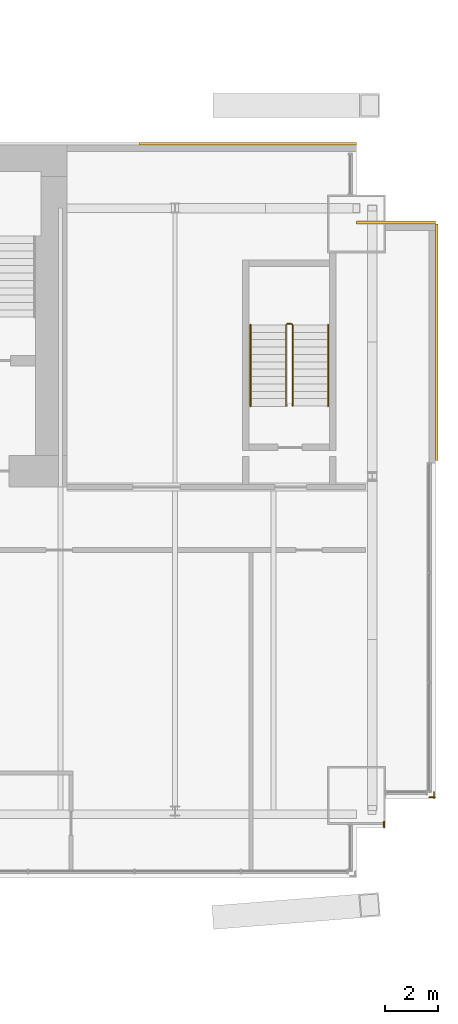
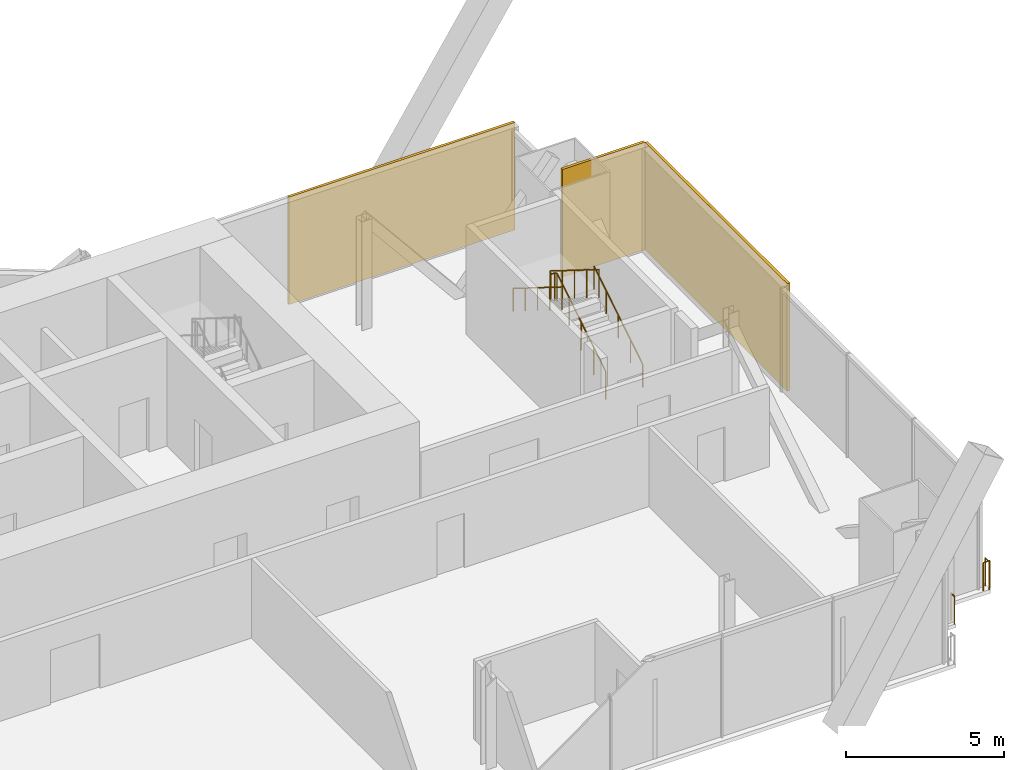
# One storey, part 19 of 19: 5 railings, 3 coverings.
"""IFC4 building model written with IfcOpenShell, lengths in metres."""

from ifc_helpers import new_model, si_unit, direction, frame, origin, origin_2d, place, context, subcontext, project, spatial, rectangle, circle, extrude, material, layer, layer_set, type_object, element, save


model = new_model("IFC4")

# Units and contexts
model_context = context("Model", 3, precision=1e-05, world=origin(), true_north=direction((0.0, 1.0)))
body_context = subcontext(model_context, "Body", "Model", "MODEL_VIEW")
ifc_project = project(units=[si_unit("LENGTHUNIT", "METRE"), si_unit("AREAUNIT", "SQUARE_METRE"), si_unit("VOLUMEUNIT", "CUBIC_METRE"), si_unit("PLANEANGLEUNIT", "RADIAN"), si_unit("MASSUNIT", "GRAM", prefix="KILO")], contexts=[model_context])

# Site, building, storey
site_placement = place(None, origin())
site = spatial("IfcSite", under=ifc_project, at=site_placement, CompositionType="ELEMENT")
building_placement = place(site_placement, origin())
building = spatial("IfcBuilding", under=site, at=building_placement, Name="Bicima Exchange Tower", CompositionType="ELEMENT")
storey_placement = place(building_placement, frame((0.0, 0.0, 283.39990234375)))
storey = spatial("IfcBuildingStorey", under=building, at=storey_placement, Name="L64", CompositionType="ELEMENT", Elevation=283.39990234375)

# Coverings
ifc_material_1 = material(Name="Bronze metal cladding")
ifc_layer_1 = layer(ifc_material_1, 0.004)
ifc_material_2 = material(Name="Ventilated cavity")
ifc_layer_2 = layer(ifc_material_2, 0.06)
ifc_material_3 = material(Name="Galvanised steel rail and mineral wool", Category="steel")
ifc_layer_3 = layer(ifc_material_3, 0.036)
ifc_layer_set = layer_set([ifc_layer_1, ifc_layer_2, ifc_layer_3], Name="Ventilated cavity")
covering_type = type_object("IfcCoveringType", Name="Bronze metal cladding panel 100", PredefinedType="CLADDING", material=ifc_layer_set)
covering_1_placement = place(storey_placement, frame((28.875, 0.050048828125, -0.14990234375), z_axis=(0.0, 0.0, 1.0), x_axis=(-1.0, 0.0, 0.0)))
element("IfcCovering", 1, at=covering_1_placement, inside=storey, type_object=covering_type, Name="Bronze cladding L64 1.1", PredefinedType="CLADDING", context=body_context, shape_type="SweptSolid", body=[
    extrude(rectangle(XDim=8.25, YDim=0.10009765625, at=origin_2d()), origin(), (0.0, 0.0, 1.0), 4.14990234375),
])
covering_2_placement = place(storey_placement, frame((36.050048828125, -7.5, -0.14990234375), z_axis=(0.0, 0.0, 1.0), x_axis=(0.0, 1.0, 0.0)))
element("IfcCovering", 2, at=covering_2_placement, inside=storey, type_object=covering_type, Name="Bronze cladding L64 50.1", PredefinedType="CLADDING", context=body_context, shape_type="SweptSolid", body=[
    extrude(rectangle(XDim=9.0, YDim=0.10009765625, at=origin_2d()), origin(), (0.0, 0.0, 1.0), 4.14990234375),
])
covering_3_placement = place(storey_placement, frame((34.5, -2.949951171875, -0.14990234375), z_axis=(0.0, 0.0, 1.0), x_axis=(-1.0, 0.0, 0.0)))
element("IfcCovering", 3, at=covering_3_placement, inside=storey, type_object=covering_type, Name="Bronze cladding L64 51.1", PredefinedType="CLADDING", context=body_context, shape_type="SweptSolid", body=[
    extrude(rectangle(XDim=3.0, YDim=0.10009765625, at=origin_2d()), origin(), (0.0, 0.0, 1.0), 4.14990234375),
])

# Railings
ifc_material_4 = material(Name="Stainless steel and bonded safety glass", Category="steel")
railing_type_1 = type_object("IfcRailingType", Name="Edge guard 1100", PredefinedType="GUARDRAIL", material=ifc_material_4)
railing_1_placement = place(storey_placement, frame((35.949951171875, -24.60009765625, 0.0)))
element("IfcRailing", 4, at=railing_1_placement, inside=storey, type_object=railing_type_1, Name="Edge guard L64 332", PredefinedType="GUARDRAIL", context=body_context, shape_type="SweptSolid", body=[
    extrude(circle(Radius=0.02392578125, at=origin_2d()), frame((0.0, 0.0, 1.076171875), z_axis=(0.0, -1.0, 0.0), x_axis=(1.0, 0.0, 0.0)), (0.0, 0.0, 1.0), 0.247802734375),
    extrude(circle(Radius=0.02392578125, at=origin_2d()), frame((0.0, -0.247802734375, 1.076171875), z_axis=(0.708833529934, 0.705375805398, 0.0), x_axis=(-0.705375805398, 0.708833529934, 0.0)), (0.0, 0.0, 1.0), 0.070556640625),
    extrude(circle(Radius=0.02392578125, at=origin_2d()), frame((0.050048828125, -0.197998046875, 1.076171875), z_axis=(-1.0, 0.0, 0.0), x_axis=(0.0, -1.0, 0.0)), (0.0, 0.0, 1.0), 0.237060546875),
    extrude(circle(Radius=0.02099609375, at=origin_2d()), origin(), (0.0, 0.0, 1.0), 1.052001953125),
    extrude(circle(Radius=0.02099609375, at=origin_2d()), frame((0.0, -0.247802734375, 0.0)), (0.0, 0.0, 1.0), 1.052001953125),
    extrude(circle(Radius=0.02099609375, at=origin_2d()), frame((0.050048828125, -0.197998046875, 0.0)), (0.0, 0.0, 1.0), 1.052001953125),
    extrude(circle(Radius=0.02099609375, at=origin_2d()), frame((-0.18701171875, -0.197998046875, 0.0)), (0.0, 0.0, 1.0), 1.052001953125),
])
railing_2_placement = place(storey_placement, frame((34.050048828125, -25.72802734375, 0.0)))
element("IfcRailing", 5, at=railing_2_placement, inside=storey, type_object=railing_type_1, Name="Edge guard L64 333", PredefinedType="GUARDRAIL", context=body_context, shape_type="SweptSolid", body=[
    extrude(circle(Radius=0.02392578125, at=origin_2d()), frame((0.0, 0.0, 1.076171875), z_axis=(0.0, -1.0, 0.0), x_axis=(1.0, 0.0, 0.0)), (0.0, 0.0, 1.0), 0.219970703125),
    extrude(circle(Radius=0.02099609375, at=origin_2d()), origin(), (0.0, 0.0, 1.0), 1.052001953125),
    extrude(circle(Radius=0.02099609375, at=origin_2d()), frame((0.0, -0.219970703125, 0.0)), (0.0, 0.0, 1.0), 1.052001953125),
])
ifc_material_5 = material(Name="Stainless steel", Category="steel")
railing_type_2 = type_object("IfcRailingType", Name="Stair guard 1100", PredefinedType="GUARDRAIL", material=ifc_material_5)
railing_3_placement = place(storey_placement, frame((30.574951171875, -9.925048828125, 0.175048828125)))
element("IfcRailing", 6, at=railing_3_placement, inside=storey, type_object=railing_type_2, Name="L64 ST-EE stair guard 1", PredefinedType="GUARDRAIL", context=body_context, shape_type="SweptSolid", body=[
    extrude(circle(Radius=0.02392578125, at=origin_2d()), frame((0.0, 0.0, 1.076171875), z_axis=(0.0, 0.847998304005, 0.529998940003), x_axis=(-1.0, 0.0, 0.0)), (0.0, 0.0, 1.0), 3.632080078125),
    extrude(circle(Radius=0.02392578125, at=origin_2d()), frame((0.0, 3.080078125, 3.0009765625), z_axis=(-0.707106781187, 0.707106781187, 0.0), x_axis=(-0.707106781187, -0.707106781187, 0.0)), (0.0, 0.0, 1.0), 0.07080078125),
    extrude(circle(Radius=0.02392578125, at=origin_2d()), frame((-0.050048828125, 3.130126953125, 3.0009765625), z_axis=(-1.0, 0.0, 0.0), x_axis=(0.0, -1.0, 0.0)), (0.0, 0.0, 1.0), 0.14990234375),
    extrude(circle(Radius=0.02392578125, at=origin_2d()), frame((-0.199951171875, 3.130126953125, 3.0009765625), z_axis=(-0.265065253269, -0.265065253269, 0.927081885822), x_axis=(0.707106781187, -0.707106781187, 0.0)), (0.0, 0.0, 1.0), 0.188720703125),
    extrude(circle(Radius=0.02392578125, at=origin_2d()), frame((-0.25, 3.080078125, 3.17626953125), z_axis=(0.0, -0.847998304005, 0.529998940003), x_axis=(1.0, 0.0, 0.0)), (0.0, 0.0, 1.0), 3.632080078125),
    extrude(circle(Radius=0.02099609375, at=origin_2d()), origin(), (0.0, 0.0, 1.0), 1.052001953125),
    extrude(circle(Radius=0.02099609375, at=origin_2d()), frame((0.0, 0.77001953125, 0.481201171875)), (0.0, 0.0, 1.0), 1.052001953125),
    extrude(circle(Radius=0.02099609375, at=origin_2d()), frame((0.0, 1.5400390625, 0.96240234375)), (0.0, 0.0, 1.0), 1.052001953125),
    extrude(circle(Radius=0.02099609375, at=origin_2d()), frame((0.0, 2.31005859375, 1.44384765625)), (0.0, 0.0, 1.0), 1.052001953125),
    extrude(circle(Radius=0.02099609375, at=origin_2d()), frame((0.0, 3.080078125, 1.925048828125)), (0.0, 0.0, 1.0), 1.052001953125),
    extrude(circle(Radius=0.02099609375, at=origin_2d()), frame((-0.050048828125, 3.130126953125, 1.925048828125)), (0.0, 0.0, 1.0), 1.052001953125),
    extrude(circle(Radius=0.02099609375, at=origin_2d()), frame((-0.199951171875, 3.130126953125, 1.925048828125)), (0.0, 0.0, 1.0), 1.052001953125),
    extrude(circle(Radius=0.02099609375, at=origin_2d()), frame((-0.25, 3.080078125, 2.10009765625)), (0.0, 0.0, 1.0), 1.052001953125),
    extrude(circle(Radius=0.02099609375, at=origin_2d()), frame((-0.25, 2.31005859375, 2.581298828125)), (0.0, 0.0, 1.0), 1.052001953125),
    extrude(circle(Radius=0.02099609375, at=origin_2d()), frame((-0.25, 1.5400390625, 3.0625)), (0.0, 0.0, 1.0), 1.052001953125),
    extrude(circle(Radius=0.02099609375, at=origin_2d()), frame((-0.25, 0.77001953125, 3.5439453125)), (0.0, 0.0, 1.0), 1.052001953125),
    extrude(circle(Radius=0.02099609375, at=origin_2d()), frame((-0.25, 0.0, 4.025146484375)), (0.0, 0.0, 1.0), 1.052001953125),
])
railing_type_3 = type_object("IfcRailingType", Name="Stair handrail 900", PredefinedType="HANDRAIL", material=ifc_material_5)
railing_4_placement = place(storey_placement, frame((31.925048828125, -9.925048828125, 0.175048828125)))
element("IfcRailing", 7, at=railing_4_placement, inside=storey, type_object=railing_type_3, Name="L64 ST-EE stair handrail 1", PredefinedType="HANDRAIL", context=body_context, shape_type="SweptSolid", body=[
    extrude(circle(Radius=0.02392578125, at=origin_2d()), frame((0.0, 0.0, 0.8759765625), z_axis=(0.0, 0.847998304005, 0.529998940003), x_axis=(-1.0, 0.0, 0.0)), (0.0, 0.0, 1.0), 3.632080078125),
    extrude(circle(Radius=0.02099609375, at=origin_2d()), origin(), (0.0, 0.0, 1.0), 0.851806640625),
    extrude(circle(Radius=0.02099609375, at=origin_2d()), frame((0.0, 0.77001953125, 0.481201171875)), (0.0, 0.0, 1.0), 0.851806640625),
    extrude(circle(Radius=0.02099609375, at=origin_2d()), frame((0.0, 1.5400390625, 0.96240234375)), (0.0, 0.0, 1.0), 0.851806640625),
    extrude(circle(Radius=0.02099609375, at=origin_2d()), frame((0.0, 2.31005859375, 1.44384765625)), (0.0, 0.0, 1.0), 0.851806640625),
    extrude(circle(Radius=0.02099609375, at=origin_2d()), frame((0.0, 3.080078125, 1.925048828125)), (0.0, 0.0, 1.0), 0.851806640625),
])
railing_5_placement = place(storey_placement, frame((28.97509765625, -6.844970703125, 2.275146484375)))
element("IfcRailing", 8, at=railing_5_placement, inside=storey, type_object=railing_type_3, Name="L64 ST-EE stair handrail 2", PredefinedType="HANDRAIL", context=body_context, shape_type="SweptSolid", body=[
    extrude(circle(Radius=0.02392578125, at=origin_2d()), frame((0.0, 0.0, 0.8759765625), z_axis=(0.0, -0.847998304005, 0.529998940003), x_axis=(1.0, 0.0, 0.0)), (0.0, 0.0, 1.0), 3.632080078125),
    extrude(circle(Radius=0.02099609375, at=origin_2d()), origin(), (0.0, 0.0, 1.0), 0.851806640625),
    extrude(circle(Radius=0.02099609375, at=origin_2d()), frame((0.0, -0.77001953125, 0.481201171875)), (0.0, 0.0, 1.0), 0.851806640625),
    extrude(circle(Radius=0.02099609375, at=origin_2d()), frame((0.0, -1.5400390625, 0.96240234375)), (0.0, 0.0, 1.0), 0.851806640625),
    extrude(circle(Radius=0.02099609375, at=origin_2d()), frame((0.0, -2.31005859375, 1.44384765625)), (0.0, 0.0, 1.0), 0.851806640625),
    extrude(circle(Radius=0.02099609375, at=origin_2d()), frame((0.0, -3.080078125, 1.925048828125)), (0.0, 0.0, 1.0), 0.851806640625),
])

save(model, "model.ifc")
